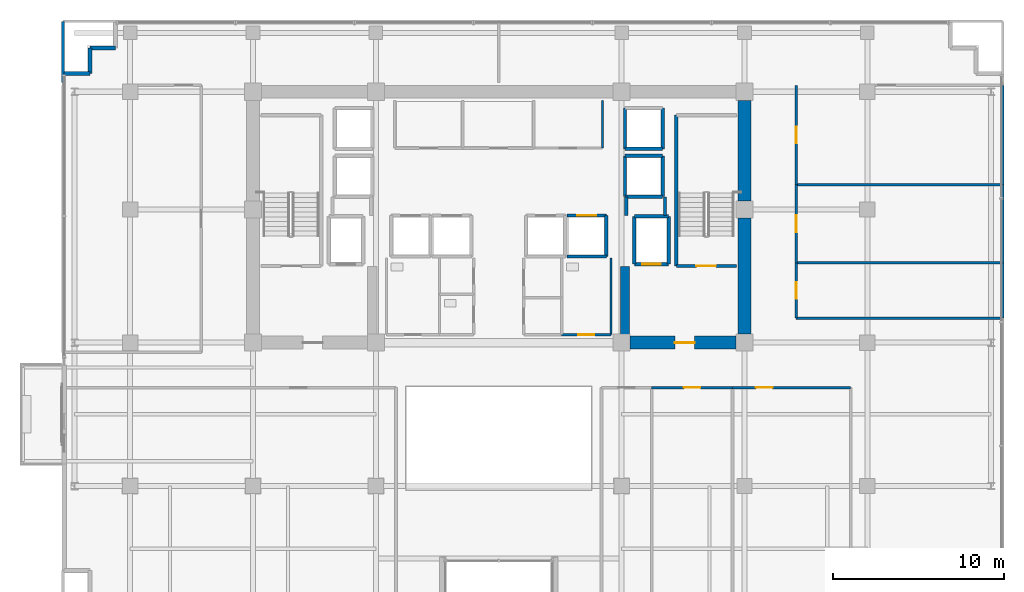
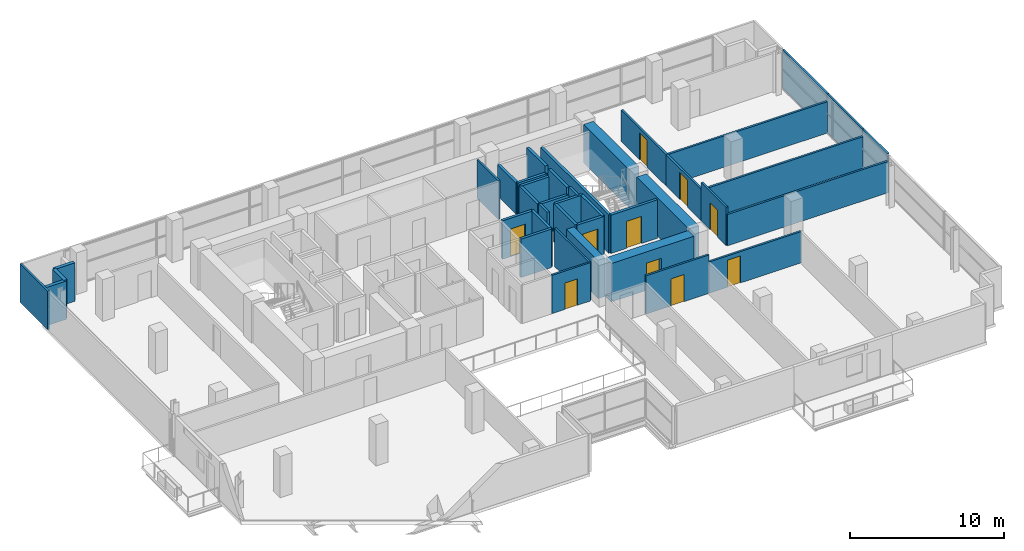
# One storey, part 17 of 22: 40 walls, 10 doors, 10 openings.
"""IFC4 building model written with IfcOpenShell, lengths in metres."""

from ifc_helpers import new_model, si_unit, direction, frame, frame_2d, origin, place, context, subcontext, project, spatial, rectangle, extrude, source, transform, mapped, material, layer, layer_set, type_object, element, fill, save


model = new_model("IFC4")

# Units and contexts
model_context = context("Model", 3, precision=1e-05, world=origin(), true_north=direction((0.0, 1.0)))
body_context = subcontext(model_context, "Body", "Model", "MODEL_VIEW")
ifc_project = project(units=[si_unit("LENGTHUNIT", "METRE"), si_unit("AREAUNIT", "SQUARE_METRE"), si_unit("VOLUMEUNIT", "CUBIC_METRE"), si_unit("PLANEANGLEUNIT", "RADIAN"), si_unit("MASSUNIT", "GRAM", prefix="KILO")], contexts=[model_context])

# Site, building, storey
site_placement = place(None, origin())
site = spatial("IfcSite", under=ifc_project, at=site_placement, CompositionType="ELEMENT")
building_placement = place(site_placement, origin())
building = spatial("IfcBuilding", under=site, at=building_placement, Name="Zarnakvel Exchange Tower", CompositionType="ELEMENT")
storey_placement = place(building_placement, frame((0.0, 0.0, 136.300048828125)))
storey = spatial("IfcBuildingStorey", under=building, at=storey_placement, Name="L38", CompositionType="ELEMENT", Elevation=136.300048828125)

# Walls
ifc_material_1 = material(Name="Concrete C60/75", Category="concrete")
ifc_layer_1 = layer(ifc_material_1, 0.75)
ifc_layer_set_1 = layer_set([ifc_layer_1], Name="Concrete C60/75")
wall_type_1 = type_object("IfcWallType", Name="CW-C3", PredefinedType="SHEAR", material=ifc_layer_set_1)
wall_1_placement = place(storey_placement, frame((14.39990234375, -0.699951171875, 0.0), z_axis=(0.0, 0.0, 1.0), x_axis=(0.0, 1.0, 0.0)))
element("IfcWall", 1, at=wall_1_placement, inside=storey, type_object=wall_type_1, Name="L38 Rear Core Shear Wall E1 (CW-C3)", PredefinedType="SHEAR", context=body_context, shape_type="SweptSolid", body=[
    extrude(rectangle(XDim=6.800048828125, YDim=0.75, at=frame_2d((3.39990234375, 0.0))), origin(), (0.0, 0.0, 1.0), 3.050048828125),
])
wall_2_placement = place(storey_placement, frame((14.39990234375, 7.10009765625, 0.0), z_axis=(0.0, 0.0, 1.0), x_axis=(0.0, 1.0, 0.0)))
element("IfcWall", 2, at=wall_2_placement, inside=storey, type_object=wall_type_1, Name="L38 Rear Core Shear Wall E2 (CW-C3)", PredefinedType="SHEAR", context=body_context, shape_type="SweptSolid", body=[
    extrude(rectangle(XDim=5.89990234375, YDim=0.75, at=frame_2d((2.949951171875, 0.0))), origin(), (0.0, 0.0, 1.0), 3.050048828125),
])

# Wall, opening, door
wall_3_placement = place(storey_placement, frame((13.89990234375, -1.199951171875, 0.0), z_axis=(0.0, 0.0, 1.0), x_axis=(-1.0, 0.0, 0.0)))
wall_3 = element("IfcWall", 3, at=wall_3_placement, inside=storey, type_object=wall_type_1, Name="L38 Rear Core Shear Wall SE (CW-C3)", PredefinedType="SHEAR", context=body_context, shape_type="SweptSolid", body=[
    extrude(rectangle(XDim=6.199951171875, YDim=0.75, at=frame_2d((3.10009765625, 0.0))), origin(), (0.0, 0.0, 1.0), 3.050048828125),
])
opening_1_placement = place(wall_3_placement, frame((2.425048828125, 0.0, 0.0)))
opening_1 = element("IfcOpeningElement", 4, at=opening_1_placement, cuts=wall_3, Name="Opening D-L38-04", PredefinedType="OPENING", context=body_context, shape_type="SweptSolid", body=[
    extrude(rectangle(XDim=1.14990234375, YDim=2.14990234375, at=frame_2d((0.574951171875, 1.074951171875))), frame((0.0, 0.385009765625, 0.0), z_axis=(0.0, -1.0, 0.0), x_axis=(1.0, 0.0, 0.0)), (0.0, 0.0, 1.0), 0.77001953125),
])
ifc_material_2 = material(Name="Painted Galvanised Steel S355", Category="steel")
door_type_1 = type_object("IfcDoorType", Name="DT-04", OperationType="NOTDEFINED", PredefinedType="DOOR", material=ifc_material_2)
shared_shape_1 = source(origin(), body_context, "Body", "SweptSolid", [
    extrude(rectangle(XDim=1.14990234375, YDim=2.14990234375, at=frame_2d((0.574951171875, 1.074951171875))), frame((0.0, 0.02490234375, 0.0), z_axis=(0.0, -1.0, 0.0), x_axis=(1.0, 0.0, 0.0)), (0.0, 0.0, 1.0), 0.050048828125),
])
door_1_placement = place(opening_1_placement, origin())
door_1 = element("IfcDoor", 5, at=door_1_placement, inside=storey, type_object=door_type_1, Name="L38 Firefighting Lobby East Door D-L38-04", OperationType="SINGLE_SWING_LEFT", OverallHeight=2.14990234375, OverallWidth=1.14990234375, PredefinedType="DOOR", context=body_context, shape_type="MappedRepresentation", body=[
    mapped(shared_shape_1, transform((0.0, 0.0, 0.0), x_axis=(1.0, 0.0, 0.0), y_axis=(0.0, 1.0, 0.0), z_axis=(0.0, 0.0, 1.0), scale=1.0)),
])
fill(opening_1, door_1)

# Walls
ifc_layer_2 = layer(ifc_material_1, 0.550048828125)
ifc_layer_set_2 = layer_set([ifc_layer_2], Name="Concrete C60/75")
wall_type_2 = type_object("IfcWallType", Name="CW-C4", PredefinedType="SHEAR", material=ifc_layer_set_2)
wall_4_placement = place(storey_placement, frame((7.39990234375, -0.824951171875, 0.0), z_axis=(0.0, 0.0, 1.0), x_axis=(0.0, 1.0, 0.0)))
element("IfcWall", 6, at=wall_4_placement, inside=storey, type_object=wall_type_2, Name="L38 Rear Core Shear Wall IE (CW-C4)", PredefinedType="SHEAR", context=body_context, shape_type="SweptSolid", body=[
    extrude(rectangle(XDim=4.074951171875, YDim=0.550048828125, at=frame_2d((2.03759765625, 0.0))), origin(), (0.0, 0.0, 1.0), 3.050048828125),
])
ifc_material_3 = material(Name="Precast concrete C40/50", Category="concrete")
ifc_layer_3 = layer(ifc_material_3, 0.239990234375)
ifc_layer_set_3 = layer_set([ifc_layer_3], Name="Precast concrete C40/50")
wall_type_3 = type_object("IfcWallType", Name="EW-02", PredefinedType="SOLIDWALL", material=ifc_layer_set_3)
for number, where, z_axis, x_axis, name in (
    (7, (-23.9599609375, 14.56005859375, 0.0), (0.0, 0.0, 1.0), (-1.0, 0.0, 0.0), "L38 Exterior Precast Spandrel Wall EWC-L38-03 (EW-02)"),
    (8, (-23.9599609375, 16.06005859375, 0.0), (0.0, 0.0, 1.0), (0.0, -1.0, 0.0), "L38 Exterior Precast Spandrel Wall EWC-L38-04 (EW-02)"),
    (9, (-22.4599609375, 16.06005859375, 0.0), (0.0, 0.0, 1.0), (-1.0, 0.0, 0.0), "L38 Exterior Precast Spandrel Wall EWC-L38-05 (EW-02)"),
):
    element("IfcWall", number, at=place(storey_placement, frame(where, z_axis=z_axis, x_axis=x_axis)), inside=storey, type_object=wall_type_3, Name=name, PredefinedType="SOLIDWALL", context=body_context, shape_type="SweptSolid", body=[
        extrude(rectangle(XDim=1.5, YDim=0.239990234375, at=frame_2d((0.75, 0.0))), origin(), (0.0, 0.0, 1.0), 3.050048828125),
    ])

# Wall, opening, door
ifc_material_4 = material(Name="Fire-Rated Gypsum Stud Partition", Category="gypsum")
ifc_layer_4 = layer(ifc_material_4, 0.14990234375)
ifc_layer_set_4 = layer_set([ifc_layer_4], Name="Fire-Rated Gypsum Stud Partition")
wall_type_4 = type_object("IfcWallType", Name="PT-01", PredefinedType="PARTITIONING", material=ifc_layer_set_4)
wall_5_placement = place(storey_placement, frame((8.964111328125, -3.830078125, 0.0), z_axis=(0.0, 0.0, 1.0), x_axis=(1.0, 0.0, 0.0)))
wall_5 = element("IfcWall", 10, at=wall_5_placement, inside=storey, type_object=wall_type_4, Name="L38 Partition Wall PWALL-L38-042 (PT-01)", PredefinedType="PARTITIONING", context=body_context, shape_type="SweptSolid", body=[
    extrude(rectangle(XDim=4.734130859375, YDim=0.14990234375, at=frame_2d((2.3671875, 0.0))), origin(), (0.0, 0.0, 1.0), 3.050048828125),
])
opening_2_placement = place(wall_5_placement, frame((1.876708984375, 0.0, 0.0)))
opening_2 = element("IfcOpeningElement", 11, at=opening_2_placement, cuts=wall_5, Name="Opening D-L38-16", PredefinedType="OPENING", context=body_context, shape_type="SweptSolid", body=[
    extrude(rectangle(XDim=0.97998046875, YDim=2.14990234375, at=frame_2d((0.489990234375, 1.074951171875))), frame((0.0, 0.0849609375, 0.0), z_axis=(0.0, -1.0, 0.0), x_axis=(1.0, 0.0, 0.0)), (0.0, 0.0, 1.0), 0.169921875),
])
ifc_material_5 = material(Name="Timber Acoustic Veneer", Category="wood")
door_type_2 = type_object("IfcDoorType", Name="DT-05", OperationType="NOTDEFINED", PredefinedType="DOOR", material=ifc_material_5)
shared_shape_2 = source(origin(), body_context, "Body", "SweptSolid", [
    extrude(rectangle(XDim=0.97998046875, YDim=2.14990234375, at=frame_2d((0.489990234375, 1.074951171875))), frame((0.0, 0.02490234375, 0.0), z_axis=(0.0, -1.0, 0.0), x_axis=(1.0, 0.0, 0.0)), (0.0, 0.0, 1.0), 0.050048828125),
])
door_2_placement = place(opening_2_placement, origin())
door_2 = element("IfcDoor", 12, at=door_2_placement, inside=storey, type_object=door_type_2, Name="L38 Conference Room Door D-L38-16", OperationType="SINGLE_SWING_LEFT", OverallHeight=2.14990234375, OverallWidth=0.97998046875, PredefinedType="DOOR", context=body_context, shape_type="MappedRepresentation", body=[
    mapped(shared_shape_2, transform((0.0, 0.0, 0.0), x_axis=(1.0, 0.0, 0.0), y_axis=(0.0, 1.0, 0.0), z_axis=(0.0, 0.0, 1.0), scale=1.0)),
])
fill(opening_2, door_2)

wall_6_placement = place(storey_placement, frame((13.6982421875, -3.830078125, 0.0), z_axis=(0.0, 0.0, 1.0), x_axis=(1.0, 0.0, 0.0)))
wall_6 = element("IfcWall", 13, at=wall_6_placement, inside=storey, type_object=wall_type_4, Name="L38 Partition Wall PWALL-L38-045 (PT-01)", PredefinedType="PARTITIONING", context=body_context, shape_type="SweptSolid", body=[
    extrude(rectangle(XDim=6.921630859375, YDim=0.14990234375, at=frame_2d((3.4609375, 0.0))), origin(), (0.0, 0.0, 1.0), 2.489990234375),
])
opening_3_placement = place(wall_6_placement, frame((1.375732421875, 0.0, 0.0)))
opening_3 = element("IfcOpeningElement", 14, at=opening_3_placement, cuts=wall_6, Name="Opening D-L38-17", PredefinedType="OPENING", context=body_context, shape_type="SweptSolid", body=[
    extrude(rectangle(XDim=0.97998046875, YDim=2.14990234375, at=frame_2d((0.489990234375, 1.074951171875))), frame((0.0, 0.0849609375, 0.0), z_axis=(0.0, -1.0, 0.0), x_axis=(1.0, 0.0, 0.0)), (0.0, 0.0, 1.0), 0.169921875),
])
door_3_placement = place(opening_3_placement, origin())
door_3 = element("IfcDoor", 15, at=door_3_placement, inside=storey, type_object=door_type_2, Name="L38 Executive Pantry Door D-L38-17", OperationType="SINGLE_SWING_RIGHT", OverallHeight=2.14990234375, OverallWidth=0.97998046875, PredefinedType="DOOR", context=body_context, shape_type="MappedRepresentation", body=[
    mapped(shared_shape_2, transform((0.0, 0.0, 0.0), x_axis=(1.0, 0.0, 0.0), y_axis=(0.0, 1.0, 0.0), z_axis=(0.0, 0.0, 1.0), scale=1.0)),
])
fill(opening_3, door_3)

# Walls
for number, where, z_axis, x_axis, name in (
    (16, (29.530029296875, 0.235595703125, 0.0), (0.0, 0.0, 1.0), (-1.0, 0.0, 0.0), "L38 Partition Wall PWALL-L38-051 (PT-01)"),
    (17, (17.429931640625, 3.47119140625, 0.0), (0.0, 0.0, 1.0), (1.0, 0.0, 0.0), "L38 Partition Wall PWALL-L38-052 (PT-01)"),
):
    element("IfcWall", number, at=place(storey_placement, frame(where, z_axis=z_axis, x_axis=x_axis)), inside=storey, type_object=wall_type_4, Name=name, PredefinedType="PARTITIONING", context=body_context, shape_type="SweptSolid", body=[
        extrude(rectangle(XDim=12.10009765625, YDim=0.14990234375, at=frame_2d((6.050048828125, 0.0))), origin(), (0.0, 0.0, 1.0), 2.489990234375),
    ])

# Wall, opening, door
wall_7_placement = place(storey_placement, frame((17.429931640625, 0.235595703125, 0.0), z_axis=(0.0, 0.0, 1.0), x_axis=(0.0, 1.0, 0.0)))
wall_7 = element("IfcWall", 18, at=wall_7_placement, inside=storey, type_object=wall_type_4, Name="L38 Partition Wall PWALL-L38-053 (PT-01)", PredefinedType="PARTITIONING", context=body_context, shape_type="SweptSolid", body=[
    extrude(rectangle(XDim=3.235595703125, YDim=0.14990234375, at=frame_2d((1.61767578125, 0.0))), origin(), (0.0, 0.0, 1.0), 3.050048828125),
])
opening_4_placement = place(wall_7_placement, frame((1.12744140625, 0.0, 0.0)))
opening_4 = element("IfcOpeningElement", 19, at=opening_4_placement, cuts=wall_7, Name="Opening D-L38-19", PredefinedType="OPENING", context=body_context, shape_type="SweptSolid", body=[
    extrude(rectangle(XDim=0.97998046875, YDim=2.14990234375, at=frame_2d((0.489990234375, 1.074951171875))), frame((0.0, 0.0849609375, 0.0), z_axis=(0.0, -1.0, 0.0), x_axis=(1.0, 0.0, 0.0)), (0.0, 0.0, 1.0), 0.169921875),
])
door_4_placement = place(opening_4_placement, origin())
door_4 = element("IfcDoor", 20, at=door_4_placement, inside=storey, type_object=door_type_2, Name="L38 Legal Records Office Door D-L38-19", OperationType="SINGLE_SWING_RIGHT", OverallHeight=2.14990234375, OverallWidth=0.97998046875, PredefinedType="DOOR", context=body_context, shape_type="MappedRepresentation", body=[
    mapped(shared_shape_2, transform((0.0, 0.0, 0.0), x_axis=(1.0, 0.0, 0.0), y_axis=(0.0, 1.0, 0.0), z_axis=(0.0, 0.0, 1.0), scale=1.0)),
])
fill(opening_4, door_4)

# Walls
wall_8_placement = place(storey_placement, frame((29.530029296875, 3.47119140625, 0.0), z_axis=(0.0, 0.0, 1.0), x_axis=(0.0, -1.0, 0.0)))
element("IfcWall", 21, at=wall_8_placement, inside=storey, type_object=wall_type_4, Name="L38 Partition Wall PWALL-L38-054 (PT-01)", PredefinedType="PARTITIONING", context=body_context, shape_type="SweptSolid", body=[
    extrude(rectangle(XDim=3.235595703125, YDim=0.14990234375, at=frame_2d((1.61767578125, 0.0))), origin(), (0.0, 0.0, 1.0), 3.050048828125),
])
wall_9_placement = place(storey_placement, frame((17.429931640625, 8.060546875, 0.0), z_axis=(0.0, 0.0, 1.0), x_axis=(1.0, 0.0, 0.0)))
element("IfcWall", 22, at=wall_9_placement, inside=storey, type_object=wall_type_4, Name="L38 Partition Wall PWALL-L38-055 (PT-01)", PredefinedType="PARTITIONING", context=body_context, shape_type="SweptSolid", body=[
    extrude(rectangle(XDim=12.10009765625, YDim=0.14990234375, at=frame_2d((6.050048828125, 0.0))), origin(), (0.0, 0.0, 1.0), 2.489990234375),
])

# Wall, opening, door
wall_10_placement = place(storey_placement, frame((17.429931640625, 3.47119140625, 0.0), z_axis=(0.0, 0.0, 1.0), x_axis=(0.0, 1.0, 0.0)))
wall_10 = element("IfcWall", 23, at=wall_10_placement, inside=storey, type_object=wall_type_4, Name="L38 Partition Wall PWALL-L38-056 (PT-01)", PredefinedType="PARTITIONING", context=body_context, shape_type="SweptSolid", body=[
    extrude(rectangle(XDim=4.58935546875, YDim=0.14990234375, at=frame_2d((2.294677734375, 0.0))), origin(), (0.0, 0.0, 1.0), 2.489990234375),
])
opening_5_placement = place(wall_10_placement, frame((1.8046875, 0.0, 0.0)))
opening_5 = element("IfcOpeningElement", 24, at=opening_5_placement, cuts=wall_10, Name="Opening D-L38-20", PredefinedType="OPENING", context=body_context, shape_type="SweptSolid", body=[
    extrude(rectangle(XDim=0.97998046875, YDim=2.14990234375, at=frame_2d((0.489990234375, 1.074951171875))), frame((0.0, 0.0849609375, 0.0), z_axis=(0.0, -1.0, 0.0), x_axis=(1.0, 0.0, 0.0)), (0.0, 0.0, 1.0), 0.169921875),
])
door_5_placement = place(opening_5_placement, origin())
door_5 = element("IfcDoor", 25, at=door_5_placement, inside=storey, type_object=door_type_2, Name="L38 Client Advisory Suite Door D-L38-20", OperationType="SINGLE_SWING_LEFT", OverallHeight=2.14990234375, OverallWidth=0.97998046875, PredefinedType="DOOR", context=body_context, shape_type="MappedRepresentation", body=[
    mapped(shared_shape_2, transform((0.0, 0.0, 0.0), x_axis=(1.0, 0.0, 0.0), y_axis=(0.0, 1.0, 0.0), z_axis=(0.0, 0.0, 1.0), scale=1.0)),
])
fill(opening_5, door_5)

# Wall
wall_11_placement = place(storey_placement, frame((29.530029296875, 8.060546875, 0.0), z_axis=(0.0, 0.0, 1.0), x_axis=(0.0, -1.0, 0.0)))
element("IfcWall", 26, at=wall_11_placement, inside=storey, type_object=wall_type_4, Name="L38 Partition Wall PWALL-L38-057 (PT-01)", PredefinedType="PARTITIONING", context=body_context, shape_type="SweptSolid", body=[
    extrude(rectangle(XDim=4.58935546875, YDim=0.14990234375, at=frame_2d((2.294677734375, 0.0))), origin(), (0.0, 0.0, 1.0), 3.050048828125),
])

# Wall, opening, door
wall_12_placement = place(storey_placement, frame((17.429931640625, 8.060546875, 0.0), z_axis=(0.0, 0.0, 1.0), x_axis=(0.0, 1.0, 0.0)))
wall_12 = element("IfcWall", 27, at=wall_12_placement, inside=storey, type_object=wall_type_4, Name="L38 Partition Wall PWALL-L38-059 (PT-01)", PredefinedType="PARTITIONING", context=body_context, shape_type="SweptSolid", body=[
    extrude(rectangle(XDim=5.8193359375, YDim=0.14990234375, at=frame_2d((2.90966796875, 0.0))), origin(), (0.0, 0.0, 1.0), 2.489990234375),
])
opening_6_placement = place(wall_12_placement, frame((2.41943359375, 0.0, 0.0)))
opening_6 = element("IfcOpeningElement", 28, at=opening_6_placement, cuts=wall_12, Name="Opening D-L38-21", PredefinedType="OPENING", context=body_context, shape_type="SweptSolid", body=[
    extrude(rectangle(XDim=0.97998046875, YDim=2.14990234375, at=frame_2d((0.489990234375, 1.074951171875))), frame((0.0, 0.0849609375, 0.0), z_axis=(0.0, -1.0, 0.0), x_axis=(1.0, 0.0, 0.0)), (0.0, 0.0, 1.0), 0.169921875),
])
door_6_placement = place(opening_6_placement, origin())
door_6 = element("IfcDoor", 29, at=door_6_placement, inside=storey, type_object=door_type_2, Name="L38 Sovereign Wealth Office Door D-L38-21", OperationType="SINGLE_SWING_RIGHT", OverallHeight=2.14990234375, OverallWidth=0.97998046875, PredefinedType="DOOR", context=body_context, shape_type="MappedRepresentation", body=[
    mapped(shared_shape_2, transform((0.0, 0.0, 0.0), x_axis=(1.0, 0.0, 0.0), y_axis=(0.0, 1.0, 0.0), z_axis=(0.0, 0.0, 1.0), scale=1.0)),
])
fill(opening_6, door_6)

# Walls
wall_13_placement = place(storey_placement, frame((29.530029296875, 13.8798828125, 0.0), z_axis=(0.0, 0.0, 1.0), x_axis=(0.0, -1.0, 0.0)))
element("IfcWall", 30, at=wall_13_placement, inside=storey, type_object=wall_type_4, Name="L38 Partition Wall PWALL-L38-060 (PT-01)", PredefinedType="PARTITIONING", context=body_context, shape_type="SweptSolid", body=[
    extrude(rectangle(XDim=5.8193359375, YDim=0.14990234375, at=frame_2d((2.90966796875, 0.0))), origin(), (0.0, 0.0, 1.0), 3.050048828125),
])
wall_14_placement = place(storey_placement, frame((-25.530029296875, 14.030029296875, 0.0), z_axis=(0.0, 0.0, 1.0), x_axis=(0.0, 1.0, 0.0)))
element("IfcWall", 31, at=wall_14_placement, inside=storey, type_object=wall_type_4, Name="L38 Partition Wall PWALL-L38-062 (PT-01)", PredefinedType="PARTITIONING", context=body_context, shape_type="SweptSolid", body=[
    extrude(rectangle(XDim=3.599853515625, YDim=0.14990234375, at=frame_2d((1.7998046875, 0.0))), origin(), (0.0, 0.0, 1.0), 3.050048828125),
])
ifc_layer_5 = layer(ifc_material_4, 0.179931640625)
ifc_layer_set_5 = layer_set([ifc_layer_5], Name="Fire-Rated Gypsum Stud Partition")
wall_type_5 = type_object("IfcWallType", Name="PT-02", PredefinedType="PARTITIONING", material=ifc_layer_set_5)
wall_15_placement = place(storey_placement, frame((7.469970703125, 6.239990234375, 0.0), z_axis=(0.0, 0.0, 1.0), x_axis=(0.0, 1.0, 0.0)))
element("IfcWall", 32, at=wall_15_placement, inside=storey, type_object=wall_type_5, Name="L38 Partition Wall PWALL-L38-009 (PT-02)", PredefinedType="PARTITIONING", context=body_context, shape_type="SweptSolid", body=[
    extrude(rectangle(XDim=1.090087890625, YDim=0.179931640625, at=frame_2d((0.544921875, 0.0))), origin(), (0.0, 0.0, 1.0), 2.489990234375),
])
wall_16_placement = place(storey_placement, frame((9.72998046875, 7.330078125, 0.0), z_axis=(0.0, 0.0, 1.0), x_axis=(0.0, -1.0, 0.0)))
element("IfcWall", 33, at=wall_16_placement, inside=storey, type_object=wall_type_5, Name="L38 Partition Wall PWALL-L38-010 (PT-02)", PredefinedType="PARTITIONING", context=body_context, shape_type="SweptSolid", body=[
    extrude(rectangle(XDim=1.090087890625, YDim=0.179931640625, at=frame_2d((0.544921875, 0.0))), origin(), (0.0, 0.0, 1.0), 3.050048828125),
])
ifc_material_6 = material(Name="Moisture-Resistant Tile-Faced Partition", Category="gypsum")
ifc_layer_6 = layer(ifc_material_6, 0.135009765625)
ifc_layer_set_6 = layer_set([ifc_layer_6], Name="Moisture-Resistant Tile-Faced Partition")
wall_type_6 = type_object("IfcWallType", Name="PT-03", PredefinedType="PARTITIONING", material=ifc_layer_set_6)
wall_17_placement = place(storey_placement, frame((6.080078125, 13.0, 0.0), z_axis=(0.0, 0.0, 1.0), x_axis=(0.0, -1.0, 0.0)))
element("IfcWall", 34, at=wall_17_placement, inside=storey, type_object=wall_type_6, Name="L38 Partition Wall PWALL-L38-017 (PT-03)", PredefinedType="PARTITIONING", context=body_context, shape_type="SweptSolid", body=[
    extrude(rectangle(XDim=2.800048828125, YDim=0.135009765625, at=frame_2d((1.39990234375, 0.0))), origin(), (0.0, 0.0, 1.0), 3.050048828125),
])

# Wall, opening, door
wall_18_placement = place(storey_placement, frame((6.580078125, -0.72998046875, 0.0), z_axis=(0.0, 0.0, 1.0), x_axis=(-1.0, 0.0, 0.0)))
wall_18 = element("IfcWall", 35, at=wall_18_placement, inside=storey, type_object=wall_type_6, Name="L38 Partition Wall PWALL-L38-031 (PT-03)", PredefinedType="PARTITIONING", context=body_context, shape_type="SweptSolid", body=[
    extrude(rectangle(XDim=2.900146484375, YDim=0.135009765625, at=frame_2d((1.4501953125, 0.0))), origin(), (0.0, 0.0, 1.0), 3.050048828125),
])
opening_7_placement = place(wall_18_placement, frame((0.989990234375, 0.0, 0.0)))
opening_7 = element("IfcOpeningElement", 36, at=opening_7_placement, cuts=wall_18, Name="Opening D-L38-13", PredefinedType="OPENING", context=body_context, shape_type="SweptSolid", body=[
    extrude(rectangle(XDim=0.919921875, YDim=2.10009765625, at=frame_2d((0.4599609375, 1.050048828125))), frame((0.0, 0.077392578125, 0.0), z_axis=(0.0, -1.0, 0.0), x_axis=(1.0, 0.0, 0.0)), (0.0, 0.0, 1.0), 0.155029296875),
])
ifc_material_7 = material(Name="Moisture-Resistant Laminate Timber", Category="wood")
door_type_3 = type_object("IfcDoorType", Name="DT-07", OperationType="NOTDEFINED", PredefinedType="DOOR", material=ifc_material_7)
shared_shape_3 = source(origin(), body_context, "Body", "SweptSolid", [
    extrude(rectangle(XDim=0.919921875, YDim=2.10009765625, at=frame_2d((0.4599609375, 1.050048828125))), frame((0.0, 0.02490234375, 0.0), z_axis=(0.0, -1.0, 0.0), x_axis=(1.0, 0.0, 0.0)), (0.0, 0.0, 1.0), 0.050048828125),
])
door_7_placement = place(opening_7_placement, origin())
door_7 = element("IfcDoor", 37, at=door_7_placement, inside=storey, type_object=door_type_3, Name="L38 Female Toilet Door D-L38-13", OperationType="SINGLE_SWING_RIGHT", OverallHeight=2.10009765625, OverallWidth=0.919921875, PredefinedType="DOOR", context=body_context, shape_type="MappedRepresentation", body=[
    mapped(shared_shape_3, transform((0.0, 0.0, 0.0), x_axis=(1.0, 0.0, 0.0), y_axis=(0.0, 1.0, 0.0), z_axis=(0.0, 0.0, 1.0), scale=1.0)),
])
fill(opening_7, door_7)

# Wall
wall_19_placement = place(storey_placement, frame((6.580078125, 3.760009765625, 0.0), z_axis=(0.0, 0.0, 1.0), x_axis=(0.0, -1.0, 0.0)))
element("IfcWall", 38, at=wall_19_placement, inside=storey, type_object=wall_type_6, Name="L38 Partition Wall PWALL-L38-032 (PT-03)", PredefinedType="PARTITIONING", context=body_context, shape_type="SweptSolid", body=[
    extrude(rectangle(XDim=4.489990234375, YDim=0.135009765625, at=frame_2d((2.2451171875, 0.0))), origin(), (0.0, 0.0, 1.0), 3.050048828125),
])

# Wall, opening, door
ifc_material_8 = material(Name="Concrete C40/50", Category="concrete")
ifc_layer_7 = layer(ifc_material_8, 0.199951171875)
ifc_layer_set_7 = layer_set([ifc_layer_7], Name="Concrete C40/50")
wall_type_7 = type_object("IfcWallType", Name="SW-01", PredefinedType="SOLIDWALL", material=ifc_layer_set_7)
wall_20_placement = place(storey_placement, frame((9.949951171875, 3.39990234375, 0.0), z_axis=(0.0, 0.0, 1.0), x_axis=(-1.0, 0.0, 0.0)))
wall_20 = element("IfcWall", 39, at=wall_20_placement, inside=storey, type_object=wall_type_7, Name="L38 FL-02 Hoistway Wall South", PredefinedType="SOLIDWALL", context=body_context, shape_type="SweptSolid", body=[
    extrude(rectangle(XDim=2.0, YDim=0.199951171875, at=frame_2d((1.0, 0.0))), origin(), (0.0, 0.0, 1.0), 3.050048828125),
])
opening_8_placement = place(wall_20_placement, frame((0.449951171875, 0.0, 0.0)))
opening_8 = element("IfcOpeningElement", 40, at=opening_8_placement, cuts=wall_20, Name="Opening LD-FL-02-L38", PredefinedType="OPENING", context=body_context, shape_type="SweptSolid", body=[
    extrude(rectangle(XDim=1.10009765625, YDim=2.199951171875, at=frame_2d((0.550048828125, 1.10009765625))), frame((0.0, 0.10986328125, 0.0), z_axis=(0.0, -1.0, 0.0), x_axis=(1.0, 0.0, 0.0)), (0.0, 0.0, 1.0), 0.219970703125),
])
ifc_material_9 = material(Name="Brushed Stainless Steel", Category="steel")
door_type_4 = type_object("IfcDoorType", Name="LDT-01", OperationType="NOTDEFINED", PredefinedType="DOOR", material=ifc_material_9)
shared_shape_4 = source(origin(), body_context, "Body", "SweptSolid", [
    extrude(rectangle(XDim=1.10009765625, YDim=2.199951171875, at=frame_2d((0.550048828125, 1.10009765625))), frame((0.0, 0.02490234375, 0.0), z_axis=(0.0, -1.0, 0.0), x_axis=(1.0, 0.0, 0.0)), (0.0, 0.0, 1.0), 0.050048828125),
])
door_8_placement = place(opening_8_placement, origin())
door_8 = element("IfcDoor", 41, at=door_8_placement, inside=storey, type_object=door_type_4, Name="L38 FL-02 Lift Landing Door LD-FL-02-L38", OperationType="DOUBLE_DOOR_SLIDING", OverallHeight=2.199951171875, OverallWidth=1.10009765625, PredefinedType="DOOR", context=body_context, shape_type="MappedRepresentation", body=[
    mapped(shared_shape_4, transform((0.0, 0.0, 0.0), x_axis=(1.0, 0.0, 0.0), y_axis=(0.0, 1.0, 0.0), z_axis=(0.0, 0.0, 1.0), scale=1.0)),
])
fill(opening_8, door_8)

# Walls
wall_21_placement = place(storey_placement, frame((7.949951171875, 6.199951171875, 0.0), z_axis=(0.0, 0.0, 1.0), x_axis=(1.0, 0.0, 0.0)))
element("IfcWall", 42, at=wall_21_placement, inside=storey, type_object=wall_type_7, Name="L38 FL-02 Hoistway Wall North", PredefinedType="SOLIDWALL", context=body_context, shape_type="SweptSolid", body=[
    extrude(rectangle(XDim=2.0, YDim=0.199951171875, at=frame_2d((1.0, 0.0))), origin(), (0.0, 0.0, 1.0), 3.050048828125),
])
for number, where, z_axis, x_axis, name in (
    (43, (7.949951171875, 3.39990234375, 0.0), (0.0, 0.0, 1.0), (0.0, 1.0, 0.0), "L38 FL-02 Hoistway Wall West"),
    (44, (9.949951171875, 6.199951171875, 0.0), (0.0, 0.0, 1.0), (0.0, -1.0, 0.0), "L38 FL-02 Hoistway Wall East"),
):
    element("IfcWall", number, at=place(storey_placement, frame(where, z_axis=z_axis, x_axis=x_axis)), inside=storey, type_object=wall_type_7, Name=name, PredefinedType="SOLIDWALL", context=body_context, shape_type="SweptSolid", body=[
        extrude(rectangle(XDim=2.800048828125, YDim=0.199951171875, at=frame_2d((1.39990234375, 0.0))), origin(), (0.0, 0.0, 1.0), 3.050048828125),
    ])
wall_22_placement = place(storey_placement, frame((6.300048828125, 3.85009765625, 0.0), z_axis=(0.0, 0.0, 1.0), x_axis=(-1.0, 0.0, 0.0)))
element("IfcWall", 45, at=wall_22_placement, inside=storey, type_object=wall_type_7, Name="L38 PL-08 Hoistway Wall South", PredefinedType="SOLIDWALL", context=body_context, shape_type="SweptSolid", body=[
    extrude(rectangle(XDim=2.300048828125, YDim=0.199951171875, at=frame_2d((1.14990234375, 0.0))), origin(), (0.0, 0.0, 1.0), 3.050048828125),
])

# Wall, opening, door
wall_23_placement = place(storey_placement, frame((4.0, 6.25, 0.0), z_axis=(0.0, 0.0, 1.0), x_axis=(1.0, 0.0, 0.0)))
wall_23 = element("IfcWall", 46, at=wall_23_placement, inside=storey, type_object=wall_type_7, Name="L38 PL-08 Hoistway Wall North", PredefinedType="SOLIDWALL", context=body_context, shape_type="SweptSolid", body=[
    extrude(rectangle(XDim=2.300048828125, YDim=0.199951171875, at=frame_2d((1.14990234375, 0.0))), origin(), (0.0, 0.0, 1.0), 3.050048828125),
])
opening_9_placement = place(wall_23_placement, frame((0.60009765625, 0.0, 0.0)))
opening_9 = element("IfcOpeningElement", 47, at=opening_9_placement, cuts=wall_23, Name="Opening LD-PL-08-L38", PredefinedType="OPENING", context=body_context, shape_type="SweptSolid", body=[
    extrude(rectangle(XDim=1.10009765625, YDim=2.199951171875, at=frame_2d((0.550048828125, 1.10009765625))), frame((0.0, 0.10986328125, 0.0), z_axis=(0.0, -1.0, 0.0), x_axis=(1.0, 0.0, 0.0)), (0.0, 0.0, 1.0), 0.219970703125),
])
ifc_material_10 = material(Name="Architectural Bronze Anodised Aluminium", Category="aluminium")
door_type_5 = type_object("IfcDoorType", Name="LDT-02", OperationType="NOTDEFINED", PredefinedType="DOOR", material=ifc_material_10)
door_9_placement = place(opening_9_placement, origin())
door_9 = element("IfcDoor", 48, at=door_9_placement, inside=storey, type_object=door_type_5, Name="L38 PL-08 Lift Landing Door LD-PL-08-L38", OperationType="DOUBLE_DOOR_SLIDING", OverallHeight=2.199951171875, OverallWidth=1.10009765625, PredefinedType="DOOR", context=body_context, shape_type="MappedRepresentation", body=[
    mapped(shared_shape_4, transform((0.0, 0.0, 0.0), x_axis=(1.0, 0.0, 0.0), y_axis=(0.0, 1.0, 0.0), z_axis=(0.0, 0.0, 1.0), scale=1.0)),
])
fill(opening_9, door_9)

# Walls
wall_24_placement = place(storey_placement, frame((6.300048828125, 6.25, 0.0), z_axis=(0.0, 0.0, 1.0), x_axis=(0.0, -1.0, 0.0)))
element("IfcWall", 49, at=wall_24_placement, inside=storey, type_object=wall_type_7, Name="L38 PL-08 Hoistway Wall East", PredefinedType="SOLIDWALL", context=body_context, shape_type="SweptSolid", body=[
    extrude(rectangle(XDim=2.39990234375, YDim=0.199951171875, at=frame_2d((1.199951171875, 0.0))), origin(), (0.0, 0.0, 1.0), 3.050048828125),
])
for number, where, z_axis, x_axis, name in (
    (50, (9.60009765625, 7.35009765625, 0.0), (0.0, 0.0, 1.0), (-1.0, 0.0, 0.0), "L38 PL-11 Hoistway Wall South"),
    (51, (7.39990234375, 9.75, 0.0), (0.0, 0.0, 1.0), (1.0, 0.0, 0.0), "L38 PL-11 Hoistway Wall North"),
):
    element("IfcWall", number, at=place(storey_placement, frame(where, z_axis=z_axis, x_axis=x_axis)), inside=storey, type_object=wall_type_7, Name=name, PredefinedType="SOLIDWALL", context=body_context, shape_type="SweptSolid", body=[
        extrude(rectangle(XDim=2.2001953125, YDim=0.199951171875, at=frame_2d((1.10009765625, 0.0))), origin(), (0.0, 0.0, 1.0), 2.489990234375),
    ])
wall_25_placement = place(storey_placement, frame((7.39990234375, 7.35009765625, 0.0), z_axis=(0.0, 0.0, 1.0), x_axis=(0.0, 1.0, 0.0)))
element("IfcWall", 52, at=wall_25_placement, inside=storey, type_object=wall_type_7, Name="L38 PL-11 Hoistway Wall West", PredefinedType="SOLIDWALL", context=body_context, shape_type="SweptSolid", body=[
    extrude(rectangle(XDim=2.39990234375, YDim=0.199951171875, at=frame_2d((1.199951171875, 0.0))), origin(), (0.0, 0.0, 1.0), 2.489990234375),
])
wall_26_placement = place(storey_placement, frame((9.60009765625, 9.75, 0.0), z_axis=(0.0, 0.0, 1.0), x_axis=(0.0, -1.0, 0.0)))
element("IfcWall", 53, at=wall_26_placement, inside=storey, type_object=wall_type_7, Name="L38 PL-11 Hoistway Wall East", PredefinedType="SOLIDWALL", context=body_context, shape_type="SweptSolid", body=[
    extrude(rectangle(XDim=2.39990234375, YDim=0.199951171875, at=frame_2d((1.199951171875, 0.0))), origin(), (0.0, 0.0, 1.0), 3.050048828125),
])
wall_27_placement = place(storey_placement, frame((9.60009765625, 10.14990234375, 0.0), z_axis=(0.0, 0.0, 1.0), x_axis=(-1.0, 0.0, 0.0)))
element("IfcWall", 54, at=wall_27_placement, inside=storey, type_object=wall_type_7, Name="L38 PL-12 Hoistway Wall South", PredefinedType="SOLIDWALL", context=body_context, shape_type="SweptSolid", body=[
    extrude(rectangle(XDim=2.2001953125, YDim=0.199951171875, at=frame_2d((1.10009765625, 0.0))), origin(), (0.0, 0.0, 1.0), 2.489990234375),
])
wall_28_placement = place(storey_placement, frame((7.39990234375, 10.14990234375, 0.0), z_axis=(0.0, 0.0, 1.0), x_axis=(0.0, 1.0, 0.0)))
element("IfcWall", 55, at=wall_28_placement, inside=storey, type_object=wall_type_7, Name="L38 PL-12 Hoistway Wall West", PredefinedType="SOLIDWALL", context=body_context, shape_type="SweptSolid", body=[
    extrude(rectangle(XDim=2.400146484375, YDim=0.199951171875, at=frame_2d((1.2001953125, 0.0))), origin(), (0.0, 0.0, 1.0), 2.489990234375),
])
wall_29_placement = place(storey_placement, frame((9.60009765625, 12.550048828125, 0.0), z_axis=(0.0, 0.0, 1.0), x_axis=(0.0, -1.0, 0.0)))
element("IfcWall", 56, at=wall_29_placement, inside=storey, type_object=wall_type_7, Name="L38 PL-12 Hoistway Wall East", PredefinedType="SOLIDWALL", context=body_context, shape_type="SweptSolid", body=[
    extrude(rectangle(XDim=2.400146484375, YDim=0.199951171875, at=frame_2d((1.2001953125, 0.0))), origin(), (0.0, 0.0, 1.0), 3.050048828125),
])

# Wall, opening, door
ifc_layer_8 = layer(ifc_material_8, 0.199951171875)
ifc_layer_set_8 = layer_set([ifc_layer_8], Name="Concrete C40/50")
wall_type_8 = type_object("IfcWallType", Name="SW-02", PredefinedType="SOLIDWALL", material=ifc_layer_set_8)
wall_30_placement = place(storey_placement, frame((13.929931640625, 3.2900390625, 0.0), z_axis=(0.0, 0.0, 1.0), x_axis=(-1.0, 0.0, 0.0)))
wall_30 = element("IfcWall", 57, at=wall_30_placement, inside=storey, type_object=wall_type_8, Name="L38 Stairwell Core Wall PWALL-L38-004 (SW-02)", PredefinedType="SOLIDWALL", context=body_context, shape_type="SweptSolid", body=[
    extrude(rectangle(XDim=3.52001953125, YDim=0.199951171875, at=frame_2d((1.760009765625, 0.0))), origin(), (0.0, 0.0, 1.0), 3.050048828125),
])
opening_10_placement = place(wall_30_placement, frame((1.205078125, 0.0, 0.0)))
opening_10 = element("IfcOpeningElement", 58, at=opening_10_placement, cuts=wall_30, Name="Opening D-L38-02", PredefinedType="OPENING", context=body_context, shape_type="SweptSolid", body=[
    extrude(rectangle(XDim=1.14990234375, YDim=2.14990234375, at=frame_2d((0.574951171875, 1.074951171875))), frame((0.0, 0.10986328125, 0.0), z_axis=(0.0, -1.0, 0.0), x_axis=(1.0, 0.0, 0.0)), (0.0, 0.0, 1.0), 0.219970703125),
])
door_10_placement = place(opening_10_placement, origin())
door_10 = element("IfcDoor", 59, at=door_10_placement, inside=storey, type_object=door_type_1, Name="L38 Stairwell ST-02 Door D-L38-02", OperationType="SINGLE_SWING_LEFT", OverallHeight=2.14990234375, OverallWidth=1.14990234375, PredefinedType="DOOR", context=body_context, shape_type="MappedRepresentation", body=[
    mapped(shared_shape_1, transform((0.0, 0.0, 0.0), x_axis=(1.0, 0.0, 0.0), y_axis=(0.0, 1.0, 0.0), z_axis=(0.0, 0.0, 1.0), scale=1.0)),
])
fill(opening_10, door_10)

# Wall
wall_31_placement = place(storey_placement, frame((10.409912109375, 3.2900390625, 0.0), z_axis=(0.0, 0.0, 1.0), x_axis=(0.0, 1.0, 0.0)))
element("IfcWall", 60, at=wall_31_placement, inside=storey, type_object=wall_type_8, Name="L38 Stairwell Core Wall PWALL-L38-006 (SW-02)", PredefinedType="SOLIDWALL", context=body_context, shape_type="SweptSolid", body=[
    extrude(rectangle(XDim=8.83984375, YDim=0.199951171875, at=frame_2d((4.419921875, 0.0))), origin(), (0.0, 0.0, 1.0), 3.050048828125),
])

save(model, "model.ifc")
